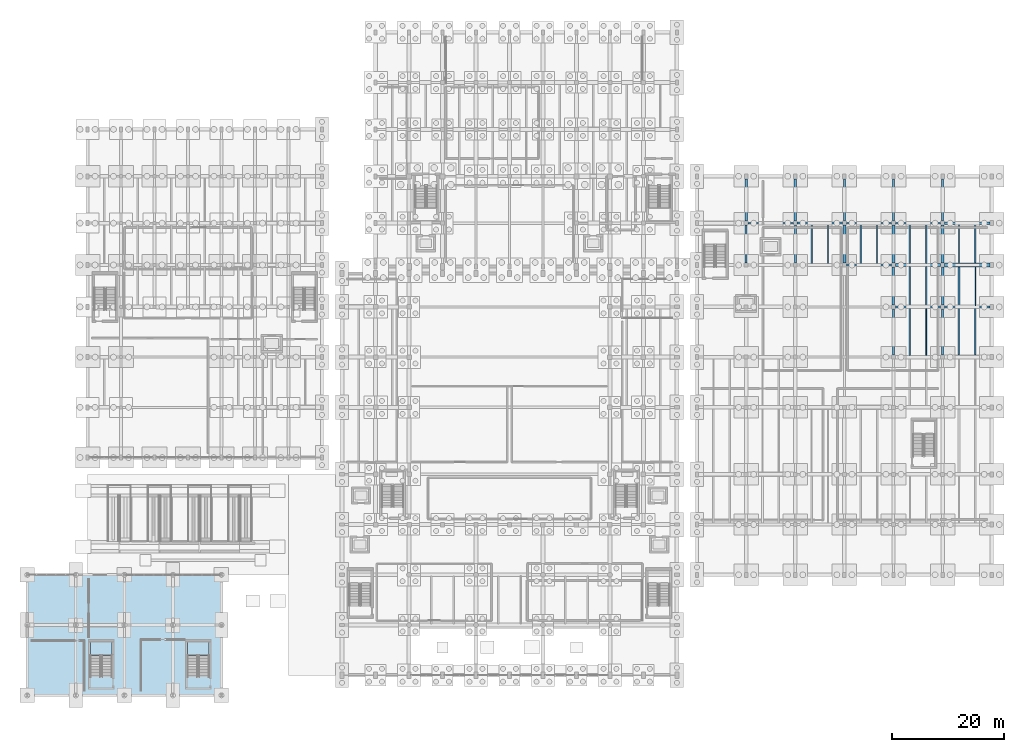
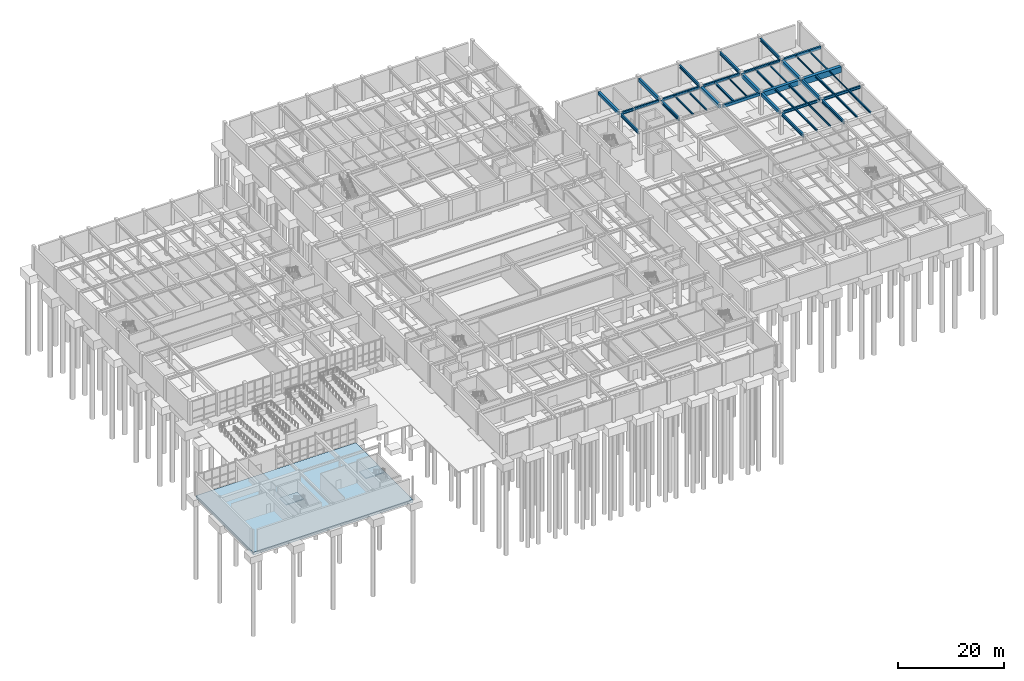
# One storey, part 41 of 69: 40 beams, 3 slabs, 2 elements without a shape of their own.
"""IFC4 building model written with IfcOpenShell, lengths in metres."""

from ifc_helpers import new_model, si_unit, direction, frame, origin, origin_2d, place, context, subcontext, project, spatial, polyline, rectangle, i_section, outline, extrude, material, layer, layer_set, material_profile, profile_set, type_object, element, aggregate, save


model = new_model("IFC4")

# Units and contexts
model_context = context("Model", 3, precision=1e-05, world=origin(), true_north=direction((0.0, 1.0)))
body_context = subcontext(model_context, "Body", "Model", "MODEL_VIEW")
ifc_project = project(units=[si_unit("LENGTHUNIT", "METRE"), si_unit("AREAUNIT", "SQUARE_METRE"), si_unit("VOLUMEUNIT", "CUBIC_METRE"), si_unit("PLANEANGLEUNIT", "RADIAN"), si_unit("MASSUNIT", "GRAM", prefix="KILO")], contexts=[model_context])

# Site, building, storey
site_placement = place(None, origin())
site = spatial("IfcSite", under=ifc_project, at=site_placement, CompositionType="ELEMENT")
building_placement = place(site_placement, origin())
building = spatial("IfcBuilding", under=site, at=building_placement, Name="Vaelkrest Opera House", CompositionType="ELEMENT")
storey_placement = place(building_placement, frame((0.0, 0.0, -5.39990234375)))
storey = spatial("IfcBuildingStorey", under=building, at=storey_placement, Name="B1", CompositionType="ELEMENT", Elevation=-5.39990234375)

# Beams
ifc_material_1 = material(Name="Concrete C50/60", Category="concrete")
ifc_material_profile_1 = material_profile(ifc_material_1, rectangle(XDim=0.39990234375, YDim=0.64990234375, at=origin_2d()), Name="RCB400X650")
ifc_profile_set_1 = profile_set([ifc_material_profile_1], Name="Concrete C50/60")
beam_type_1 = type_object("IfcBeamType", Name="B01", PredefinedType="BEAM", material=ifc_profile_set_1)
beam_1_placement = place(storey_placement, frame((60.35009765625, 17.699951171875, 4.679931640625), z_axis=(1.0, 0.0, 0.0), x_axis=(0.0, 1.0, 0.0)))
element("IfcBeam", 1, at=beam_1_placement, inside=storey, type_object=beam_type_1, Name="Beam BM-V4-B1-1853", PredefinedType="BEAM", context=body_context, shape_type="SweptSolid", body=[
    extrude(rectangle(XDim=0.39990234375, YDim=0.64990234375, at=origin_2d()), origin(), (0.0, 0.0, 1.0), 8.099853515625),
])
beam_2_placement = place(storey_placement, frame((77.949951171875, 25.199951171875, 4.679931640625), z_axis=(1.0, 0.0, 0.0), x_axis=(0.0, 1.0, 0.0)))
element("IfcBeam", 2, at=beam_2_placement, inside=storey, type_object=beam_type_1, Name="Beam BM-V4-B1-1861", PredefinedType="BEAM", context=body_context, shape_type="SweptSolid", body=[
    extrude(rectangle(XDim=0.39990234375, YDim=0.64990234375, at=origin_2d()), origin(), (0.0, 0.0, 1.0), 8.150146484375),
])
ifc_material_profile_2 = material_profile(ifc_material_1, rectangle(XDim=0.449951171875, YDim=0.75, at=origin_2d()), Name="RCB450X750")
ifc_profile_set_2 = profile_set([ifc_material_profile_2], Name="Concrete C50/60")
beam_type_2 = type_object("IfcBeamType", Name="B02", PredefinedType="BEAM", material=ifc_profile_set_2)
for number, where, z_axis, x_axis, name in (
    (3, (42.39990234375, 25.550048828125, 4.6298828125), (0.0, 1.0, 0.0), (-1.0, 0.0, 0.0), "Beam BM-V4-B1-1867"),
    (4, (51.199951171875, 25.550048828125, 4.6298828125), (0.0, 1.0, 0.0), (-1.0, 0.0, 0.0), "Beam BM-V4-B1-1875"),
):
    element("IfcBeam", number, at=place(storey_placement, frame(where, z_axis=z_axis, x_axis=x_axis)), inside=storey, type_object=beam_type_2, Name=name, PredefinedType="BEAM", context=body_context, shape_type="SweptSolid", body=[
        extrude(rectangle(XDim=0.449951171875, YDim=0.75, at=origin_2d()), origin(), (0.0, 0.0, 1.0), 7.599853515625),
    ])
for number, where, z_axis, x_axis, name in (
    (5, (68.800048828125, 10.550048828125, 4.6298828125), (0.0, 1.0, 0.0), (-1.0, 0.0, 0.0), "Beam BM-V4-B1-1887"),
    (6, (77.60009765625, 10.550048828125, 4.6298828125), (0.0, 1.0, 0.0), (-1.0, 0.0, 0.0), "Beam BM-V4-B1-1895"),
):
    element("IfcBeam", number, at=place(storey_placement, frame(where, z_axis=z_axis, x_axis=x_axis)), inside=storey, type_object=beam_type_2, Name=name, PredefinedType="BEAM", context=body_context, shape_type="SweptSolid", body=[
        extrude(rectangle(XDim=0.449951171875, YDim=0.75, at=origin_2d()), origin(), (0.0, 0.0, 1.0), 6.800048828125),
    ])
ifc_material_profile_3 = material_profile(ifc_material_1, rectangle(XDim=0.5, YDim=0.85009765625, at=origin_2d()), Name="RCB500X850")
ifc_profile_set_3 = profile_set([ifc_material_profile_3], Name="Concrete C50/60")
beam_type_3 = type_object("IfcBeamType", Name="B03", PredefinedType="BEAM", material=ifc_profile_set_3)
for number, where, z_axis, x_axis, name in (
    (7, (60.0, 18.050048828125, 4.579833984375), (0.0, 1.0, 0.0), (-1.0, 0.0, 0.0), "Beam BM-V4-B1-1880"),
    (8, (68.800048828125, 18.050048828125, 4.579833984375), (0.0, 1.0, 0.0), (-1.0, 0.0, 0.0), "Beam BM-V4-B1-1888"),
    (9, (77.60009765625, 18.050048828125, 4.579833984375), (0.0, 1.0, 0.0), (-1.0, 0.0, 0.0), "Beam BM-V4-B1-1896"),
):
    element("IfcBeam", number, at=place(storey_placement, frame(where, z_axis=z_axis, x_axis=x_axis)), inside=storey, type_object=beam_type_3, Name=name, PredefinedType="BEAM", context=body_context, shape_type="SweptSolid", body=[
        extrude(rectangle(XDim=0.5, YDim=0.85009765625, at=origin_2d()), origin(), (0.0, 0.0, 1.0), 6.800048828125),
    ])
ifc_material_profile_4 = material_profile(ifc_material_1, rectangle(XDim=0.60009765625, YDim=1.10009765625, at=origin_2d()), Name="RCB600X1100")
ifc_profile_set_4 = profile_set([ifc_material_profile_4], Name="Concrete C50/60")
beam_type_4 = type_object("IfcBeamType", Name="B05", PredefinedType="BEAM", material=ifc_profile_set_4)
beam_3_placement = place(storey_placement, frame((69.14990234375, 17.699951171875, 4.454833984375), z_axis=(1.0, 0.0, 0.0), x_axis=(0.0, 1.0, 0.0)))
element("IfcBeam", 10, at=beam_3_placement, inside=storey, type_object=beam_type_4, Name="Beam BM-V4-B1-1854", PredefinedType="BEAM", context=body_context, shape_type="SweptSolid", body=[
    extrude(rectangle(XDim=0.60009765625, YDim=1.10009765625, at=origin_2d()), origin(), (0.0, 0.0, 1.0), 8.10009765625),
])
ifc_material_profile_5 = material_profile(ifc_material_1, rectangle(XDim=0.699951171875, YDim=1.35009765625, at=origin_2d()), Name="RCB700X1350")
ifc_profile_set_5 = profile_set([ifc_material_profile_5], Name="Concrete C50/60")
beam_type_5 = type_object("IfcBeamType", Name="B06", PredefinedType="BEAM", material=ifc_profile_set_5)
beam_4_placement = place(storey_placement, frame((77.949951171875, 17.699951171875, 4.329833984375), z_axis=(1.0, 0.0, 0.0), x_axis=(0.0, 1.0, 0.0)))
element("IfcBeam", 11, at=beam_4_placement, inside=storey, type_object=beam_type_5, Name="Beam BM-V4-B1-1855", PredefinedType="BEAM", context=body_context, shape_type="SweptSolid", body=[
    extrude(rectangle(XDim=0.699951171875, YDim=1.35009765625, at=origin_2d()), origin(), (0.0, 0.0, 1.0), 8.150146484375),
])
ifc_material_2 = material(Name="Steel A992 Gr50", Category="steel")
ifc_material_profile_6 = material_profile(ifc_material_2, i_section(OverallWidth=0.323974609375, OverallDepth=0.611083984375, WebThickness=0.0126953125, FlangeThickness=0.01904296875, at=origin_2d()), Name="W24X104")
ifc_profile_set_6 = profile_set([ifc_material_profile_6], Name="Steel A992 Gr50")
beam_type_6 = type_object("IfcBeamType", Name="B08", PredefinedType="BEAM", material=ifc_profile_set_6)
for number, where, z_axis, x_axis, name in (
    (12, (69.14990234375, 10.199951171875, 4.699462890625), (1.0, 0.0, 0.0), (0.0, 1.0, 0.0), "Beam BM-V4-B1-1849"),
    (13, (42.75, 25.199951171875, 4.699462890625), (1.0, 0.0, 0.0), (0.0, 1.0, 0.0), "Beam BM-V4-B1-1857"),
):
    element("IfcBeam", number, at=place(storey_placement, frame(where, z_axis=z_axis, x_axis=x_axis)), inside=storey, type_object=beam_type_6, Name=name, PredefinedType="BEAM", context=body_context, shape_type="SweptSolid", body=[
        extrude(i_section(OverallWidth=0.323974609375, OverallDepth=0.611083984375, WebThickness=0.0126953125, FlangeThickness=0.01904296875, at=origin_2d()), origin(), (0.0, 0.0, 1.0), 8.10009765625),
    ])
ifc_material_profile_7 = material_profile(ifc_material_2, i_section(OverallWidth=0.327880859375, OverallDepth=0.6279296875, WebThickness=0.0166015625, FlangeThickness=0.027587890625, at=origin_2d()), Name="W24X146")
ifc_profile_set_7 = profile_set([ifc_material_profile_7], Name="Steel A992 Gr50")
beam_type_7 = type_object("IfcBeamType", Name="B09", PredefinedType="BEAM", material=ifc_profile_set_7)
beam_5_placement = place(storey_placement, frame((77.949951171875, 10.199951171875, 4.69091796875), z_axis=(1.0, 0.0, 0.0), x_axis=(0.0, 1.0, 0.0)))
element("IfcBeam", 14, at=beam_5_placement, inside=storey, type_object=beam_type_7, Name="Beam BM-V4-B1-1850", PredefinedType="BEAM", context=body_context, shape_type="SweptSolid", body=[
    extrude(i_section(OverallWidth=0.327880859375, OverallDepth=0.6279296875, WebThickness=0.0166015625, FlangeThickness=0.027587890625, at=origin_2d()), origin(), (0.0, 0.0, 1.0), 8.150146484375),
])
beam_6_placement = place(storey_placement, frame((51.550048828125, 25.199951171875, 4.69091796875), z_axis=(1.0, 0.0, 0.0), x_axis=(0.0, 1.0, 0.0)))
element("IfcBeam", 15, at=beam_6_placement, inside=storey, type_object=beam_type_7, Name="Beam BM-V4-B1-1858", PredefinedType="BEAM", context=body_context, shape_type="SweptSolid", body=[
    extrude(i_section(OverallWidth=0.327880859375, OverallDepth=0.6279296875, WebThickness=0.0166015625, FlangeThickness=0.027587890625, at=origin_2d()), origin(), (0.0, 0.0, 1.0), 8.099853515625),
])
ifc_material_profile_8 = material_profile(ifc_material_2, i_section(OverallWidth=0.35498046875, OverallDepth=0.695068359375, WebThickness=0.015380859375, FlangeThickness=0.02490234375, at=origin_2d()), Name="W27X146")
ifc_profile_set_8 = profile_set([ifc_material_profile_8], Name="Steel A992 Gr50")
beam_type_8 = type_object("IfcBeamType", Name="B10", PredefinedType="BEAM", material=ifc_profile_set_8)
for number, where, z_axis, x_axis, name in (
    (16, (60.0, 25.550048828125, 4.657470703125), (0.0, 1.0, 0.0), (-1.0, 0.0, 0.0), "Beam BM-V4-B1-1881"),
    (17, (68.800048828125, 25.550048828125, 4.657470703125), (0.0, 1.0, 0.0), (-1.0, 0.0, 0.0), "Beam BM-V4-B1-1889"),
    (18, (77.60009765625, 25.550048828125, 4.657470703125), (0.0, 1.0, 0.0), (-1.0, 0.0, 0.0), "Beam BM-V4-B1-1897"),
):
    element("IfcBeam", number, at=place(storey_placement, frame(where, z_axis=z_axis, x_axis=x_axis)), inside=storey, type_object=beam_type_8, Name=name, PredefinedType="BEAM", context=body_context, shape_type="SweptSolid", body=[
        extrude(i_section(OverallWidth=0.35498046875, OverallDepth=0.695068359375, WebThickness=0.015380859375, FlangeThickness=0.02490234375, at=origin_2d()), origin(), (0.0, 0.0, 1.0), 7.599853515625),
    ])
ifc_material_profile_9 = material_profile(ifc_material_2, i_section(OverallWidth=0.35791015625, OverallDepth=0.7060546875, WebThickness=0.018310546875, FlangeThickness=0.0302734375, at=origin_2d()), Name="W27X178")
ifc_profile_set_9 = profile_set([ifc_material_profile_9], Name="Steel A992 Gr50")
beam_type_9 = type_object("IfcBeamType", Name="B14", PredefinedType="BEAM", material=ifc_profile_set_9)
for number, where, z_axis, x_axis, name in (
    (19, (42.39990234375, 18.050048828125, 4.65185546875), (0.0, 1.0, 0.0), (-1.0, 0.0, 0.0), "Beam BM-V4-B1-1866"),
    (20, (51.199951171875, 18.050048828125, 4.65185546875), (0.0, 1.0, 0.0), (-1.0, 0.0, 0.0), "Beam BM-V4-B1-1874"),
):
    element("IfcBeam", number, at=place(storey_placement, frame(where, z_axis=z_axis, x_axis=x_axis)), inside=storey, type_object=beam_type_9, Name=name, PredefinedType="BEAM", context=body_context, shape_type="SweptSolid", body=[
        extrude(i_section(OverallWidth=0.35791015625, OverallDepth=0.7060546875, WebThickness=0.018310546875, FlangeThickness=0.0302734375, at=origin_2d()), origin(), (0.0, 0.0, 1.0), 6.800048828125),
    ])
for number, where, z_axis, x_axis, name in (
    (21, (68.800048828125, 1.550048828125, 4.65185546875), (0.0, 1.0, 0.0), (-1.0, 0.0, 0.0), "Beam BM-V4-B1-1886"),
    (22, (77.60009765625, 1.550048828125, 4.65185546875), (0.0, 1.0, 0.0), (-1.0, 0.0, 0.0), "Beam BM-V4-B1-1894"),
):
    element("IfcBeam", number, at=place(storey_placement, frame(where, z_axis=z_axis, x_axis=x_axis)), inside=storey, type_object=beam_type_9, Name=name, PredefinedType="BEAM", context=body_context, shape_type="SweptSolid", body=[
        extrude(i_section(OverallWidth=0.35791015625, OverallDepth=0.7060546875, WebThickness=0.018310546875, FlangeThickness=0.0302734375, at=origin_2d()), origin(), (0.0, 0.0, 1.0), 8.300048828125),
    ])
ifc_material_profile_10 = material_profile(ifc_material_2, i_section(OverallWidth=0.326904296875, OverallDepth=0.6220703125, WebThickness=0.015380859375, FlangeThickness=0.0244140625, at=origin_2d()), Name="W24X131")
ifc_profile_set_10 = profile_set([ifc_material_profile_10], Name="Steel A992 Gr50")
beam_type_10 = type_object("IfcBeamType", Name="B19", PredefinedType="BEAM", material=ifc_profile_set_10)
beam_7_placement = place(storey_placement, frame((60.35009765625, 25.199951171875, 4.69384765625), z_axis=(1.0, 0.0, 0.0), x_axis=(0.0, 1.0, 0.0)))
element("IfcBeam", 23, at=beam_7_placement, inside=storey, type_object=beam_type_10, Name="Beam BM-V4-B1-1859", PredefinedType="BEAM", context=body_context, shape_type="SweptSolid", body=[
    extrude(i_section(OverallWidth=0.326904296875, OverallDepth=0.6220703125, WebThickness=0.015380859375, FlangeThickness=0.0244140625, at=origin_2d()), origin(), (0.0, 0.0, 1.0), 8.099853515625),
])
ifc_material_profile_11 = material_profile(ifc_material_2, i_section(OverallWidth=0.31494140625, OverallDepth=0.551025390625, WebThickness=0.01513671875, FlangeThickness=0.0244140625, at=origin_2d()), Name="W21X122")
ifc_profile_set_11 = profile_set([ifc_material_profile_11], Name="Steel A992 Gr50")
beam_type_11 = type_object("IfcBeamType", Name="B20", PredefinedType="BEAM", material=ifc_profile_set_11)
beam_8_placement = place(storey_placement, frame((69.14990234375, 25.199951171875, 4.7294921875), z_axis=(1.0, 0.0, 0.0), x_axis=(0.0, 1.0, 0.0)))
element("IfcBeam", 24, at=beam_8_placement, inside=storey, type_object=beam_type_11, Name="Beam BM-V4-B1-1860", PredefinedType="BEAM", context=body_context, shape_type="SweptSolid", body=[
    extrude(i_section(OverallWidth=0.31494140625, OverallDepth=0.551025390625, WebThickness=0.01513671875, FlangeThickness=0.0244140625, at=origin_2d()), origin(), (0.0, 0.0, 1.0), 8.10009765625),
])
ifc_material_profile_12 = material_profile(ifc_material_2, i_section(OverallWidth=0.2041015625, OverallDepth=0.257080078125, WebThickness=0.0087890625, FlangeThickness=0.015625, at=origin_2d()), Name="W10X45")
ifc_profile_set_12 = profile_set([ifc_material_profile_12], Name="Steel A992 Gr50")
beam_type_12 = type_object("IfcBeamType", Name="J01", PredefinedType="JOIST", material=ifc_profile_set_12)
beam_9_placement = place(storey_placement, frame((65.866943359375, 17.89990234375, 4.87646484375), z_axis=(0.0, 1.0, 0.0), x_axis=(-1.0, 0.0, 0.0)))
element("IfcBeam", 25, at=beam_9_placement, inside=storey, type_object=beam_type_12, Name="Floor joist JST-V4-B1-1921", PredefinedType="JOIST", context=body_context, shape_type="SweptSolid", body=[
    extrude(i_section(OverallWidth=0.2041015625, OverallDepth=0.257080078125, WebThickness=0.0087890625, FlangeThickness=0.015625, at=origin_2d()), origin(), (0.0, 0.0, 1.0), 7.13671875),
])
beam_10_placement = place(storey_placement, frame((74.6669921875, 18.0, 4.87646484375), z_axis=(0.0, 1.0, 0.0), x_axis=(-1.0, 0.0, 0.0)))
element("IfcBeam", 26, at=beam_10_placement, inside=storey, type_object=beam_type_12, Name="Floor joist JST-V4-B1-1931", PredefinedType="JOIST", context=body_context, shape_type="SweptSolid", body=[
    extrude(i_section(OverallWidth=0.2041015625, OverallDepth=0.257080078125, WebThickness=0.0087890625, FlangeThickness=0.015625, at=origin_2d()), origin(), (0.0, 0.0, 1.0), 7.04248046875),
])
beam_11_placement = place(storey_placement, frame((83.467041015625, 10.364013671875, 4.87646484375), z_axis=(0.0, 1.0, 0.0), x_axis=(-1.0, 0.0, 0.0)))
element("IfcBeam", 27, at=beam_11_placement, inside=storey, type_object=beam_type_12, Name="Floor joist JST-V4-B1-1941", PredefinedType="JOIST", context=body_context, shape_type="SweptSolid", body=[
    extrude(i_section(OverallWidth=0.2041015625, OverallDepth=0.257080078125, WebThickness=0.0087890625, FlangeThickness=0.015625, at=origin_2d()), origin(), (0.0, 0.0, 1.0), 6.986083984375),
])
ifc_material_profile_13 = material_profile(ifc_material_2, i_section(OverallWidth=0.202880859375, OverallDepth=0.302978515625, WebThickness=0.007568359375, FlangeThickness=0.01318359375, at=origin_2d()), Name="W12X40")
ifc_profile_set_13 = profile_set([ifc_material_profile_13], Name="Steel A992 Gr50")
beam_type_13 = type_object("IfcBeamType", Name="J02", PredefinedType="JOIST", material=ifc_profile_set_13)
beam_12_placement = place(storey_placement, frame((80.532958984375, 18.050048828125, 4.853515625), z_axis=(0.0, 1.0, 0.0), x_axis=(-1.0, 0.0, 0.0)))
element("IfcBeam", 28, at=beam_12_placement, inside=storey, type_object=beam_type_13, Name="Floor joist JST-V4-B1-1942", PredefinedType="JOIST", context=body_context, shape_type="SweptSolid", body=[
    extrude(i_section(OverallWidth=0.202880859375, OverallDepth=0.302978515625, WebThickness=0.007568359375, FlangeThickness=0.01318359375, at=origin_2d()), origin(), (0.0, 0.0, 1.0), 6.949951171875),
])
ifc_material_profile_14 = material_profile(ifc_material_2, i_section(OverallWidth=0.25390625, OverallDepth=0.305908203125, WebThickness=0.0087890625, FlangeThickness=0.0146484375, at=origin_2d()), Name="W12X53")
ifc_profile_set_14 = profile_set([ifc_material_profile_14], Name="Steel A992 Gr50")
beam_type_14 = type_object("IfcBeamType", Name="J03", PredefinedType="JOIST", material=ifc_profile_set_14)
beam_13_placement = place(storey_placement, frame((83.467041015625, 18.050048828125, 4.851806640625), z_axis=(0.0, 1.0, 0.0), x_axis=(-1.0, 0.0, 0.0)))
element("IfcBeam", 29, at=beam_13_placement, inside=storey, type_object=beam_type_14, Name="Floor joist JST-V4-B1-1943", PredefinedType="JOIST", context=body_context, shape_type="SweptSolid", body=[
    extrude(i_section(OverallWidth=0.25390625, OverallDepth=0.305908203125, WebThickness=0.0087890625, FlangeThickness=0.0146484375, at=origin_2d()), origin(), (0.0, 0.0, 1.0), 6.949951171875),
])
ifc_material_profile_15 = material_profile(ifc_material_2, i_section(OverallWidth=0.304931640625, OverallDepth=0.30810546875, WebThickness=0.010009765625, FlangeThickness=0.015380859375, at=origin_2d()), Name="W12X65")
ifc_profile_set_15 = profile_set([ifc_material_profile_15], Name="Steel A992 Gr50")
beam_type_15 = type_object("IfcBeamType", Name="J04", PredefinedType="JOIST", material=ifc_profile_set_15)
beam_14_placement = place(storey_placement, frame((54.133056640625, 17.857421875, 4.850830078125), z_axis=(0.0, 1.0, 0.0), x_axis=(-1.0, 0.0, 0.0)))
element("IfcBeam", 30, at=beam_14_placement, inside=storey, type_object=beam_type_15, Name="Floor joist JST-V4-B1-1914", PredefinedType="JOIST", context=body_context, shape_type="SweptSolid", body=[
    extrude(i_section(OverallWidth=0.304931640625, OverallDepth=0.30810546875, WebThickness=0.010009765625, FlangeThickness=0.015380859375, at=origin_2d()), origin(), (0.0, 0.0, 1.0), 7.178466796875),
])
ifc_material_profile_16 = material_profile(ifc_material_2, i_section(OverallWidth=0.2548828125, OverallDepth=0.35693359375, WebThickness=0.010498046875, FlangeThickness=0.018310546875, at=origin_2d()), Name="W14X68")
ifc_profile_set_16 = profile_set([ifc_material_profile_16], Name="Steel A992 Gr50")
beam_type_16 = type_object("IfcBeamType", Name="J05", PredefinedType="JOIST", material=ifc_profile_set_16)
beam_15_placement = place(storey_placement, frame((57.06689453125, 17.857421875, 4.826416015625), z_axis=(0.0, 1.0, 0.0), x_axis=(-1.0, 0.0, 0.0)))
element("IfcBeam", 31, at=beam_15_placement, inside=storey, type_object=beam_type_16, Name="Floor joist JST-V4-B1-1915", PredefinedType="JOIST", context=body_context, shape_type="SweptSolid", body=[
    extrude(i_section(OverallWidth=0.2548828125, OverallDepth=0.35693359375, WebThickness=0.010498046875, FlangeThickness=0.018310546875, at=origin_2d()), origin(), (0.0, 0.0, 1.0), 7.178466796875),
])
ifc_material_profile_17 = material_profile(ifc_material_2, i_section(OverallWidth=0.257080078125, OverallDepth=0.363037109375, WebThickness=0.012939453125, FlangeThickness=0.021728515625, at=origin_2d()), Name="W14X82")
ifc_profile_set_17 = profile_set([ifc_material_profile_17], Name="Steel A992 Gr50")
beam_type_17 = type_object("IfcBeamType", Name="J06", PredefinedType="JOIST", material=ifc_profile_set_17)
beam_16_placement = place(storey_placement, frame((71.73291015625, 1.5, 4.823486328125), z_axis=(0.0, 1.0, 0.0), x_axis=(-1.0, 0.0, 0.0)))
element("IfcBeam", 32, at=beam_16_placement, inside=storey, type_object=beam_type_17, Name="Floor joist JST-V4-B1-1926", PredefinedType="JOIST", context=body_context, shape_type="SweptSolid", body=[
    extrude(i_section(OverallWidth=0.257080078125, OverallDepth=0.363037109375, WebThickness=0.012939453125, FlangeThickness=0.021728515625, at=origin_2d()), origin(), (0.0, 0.0, 1.0), 8.5380859375),
])
ifc_material_profile_18 = material_profile(ifc_material_2, i_section(OverallWidth=0.180908203125, OverallDepth=0.4169921875, WebThickness=0.010986328125, FlangeThickness=0.018310546875, at=origin_2d()), Name="W16X57")
ifc_profile_set_18 = profile_set([ifc_material_profile_18], Name="Steel A992 Gr50")
beam_type_18 = type_object("IfcBeamType", Name="J07", PredefinedType="JOIST", material=ifc_profile_set_18)
beam_17_placement = place(storey_placement, frame((74.6669921875, 1.5, 4.79638671875), z_axis=(0.0, 1.0, 0.0), x_axis=(-1.0, 0.0, 0.0)))
element("IfcBeam", 33, at=beam_17_placement, inside=storey, type_object=beam_type_18, Name="Floor joist JST-V4-B1-1927", PredefinedType="JOIST", context=body_context, shape_type="SweptSolid", body=[
    extrude(i_section(OverallWidth=0.180908203125, OverallDepth=0.4169921875, WebThickness=0.010986328125, FlangeThickness=0.018310546875, at=origin_2d()), origin(), (0.0, 0.0, 1.0), 8.5380859375),
])
ifc_material_profile_19 = material_profile(ifc_material_2, i_section(OverallWidth=0.261962890625, OverallDepth=0.4189453125, WebThickness=0.01171875, FlangeThickness=0.019287109375, at=origin_2d()), Name="W16X77")
ifc_profile_set_19 = profile_set([ifc_material_profile_19], Name="Steel A992 Gr50")
beam_type_19 = type_object("IfcBeamType", Name="J08", PredefinedType="JOIST", material=ifc_profile_set_19)
beam_18_placement = place(storey_placement, frame((71.73291015625, 10.362060546875, 4.79541015625), z_axis=(0.0, 1.0, 0.0), x_axis=(-1.0, 0.0, 0.0)))
element("IfcBeam", 34, at=beam_18_placement, inside=storey, type_object=beam_type_19, Name="Floor joist JST-V4-B1-1928", PredefinedType="JOIST", context=body_context, shape_type="SweptSolid", body=[
    extrude(i_section(OverallWidth=0.261962890625, OverallDepth=0.4189453125, WebThickness=0.01171875, FlangeThickness=0.019287109375, at=origin_2d()), origin(), (0.0, 0.0, 1.0), 7.037841796875),
])
beam_19_placement = place(storey_placement, frame((80.532958984375, 1.550048828125, 4.79541015625), z_axis=(0.0, 1.0, 0.0), x_axis=(-1.0, 0.0, 0.0)))
element("IfcBeam", 35, at=beam_19_placement, inside=storey, type_object=beam_type_19, Name="Floor joist JST-V4-B1-1938", PredefinedType="JOIST", context=body_context, shape_type="SweptSolid", body=[
    extrude(i_section(OverallWidth=0.261962890625, OverallDepth=0.4189453125, WebThickness=0.01171875, FlangeThickness=0.019287109375, at=origin_2d()), origin(), (0.0, 0.0, 1.0), 8.48583984375),
])
ifc_material_profile_20 = material_profile(ifc_material_2, i_section(OverallWidth=0.280029296875, OverallDepth=0.462890625, WebThickness=0.0107421875, FlangeThickness=0.017333984375, at=origin_2d()), Name="W18X76")
ifc_profile_set_20 = profile_set([ifc_material_profile_20], Name="Steel A992 Gr50")
beam_type_20 = type_object("IfcBeamType", Name="J09", PredefinedType="JOIST", material=ifc_profile_set_20)
beam_20_placement = place(storey_placement, frame((74.6669921875, 10.362060546875, 4.7734375), z_axis=(0.0, 1.0, 0.0), x_axis=(-1.0, 0.0, 0.0)))
element("IfcBeam", 36, at=beam_20_placement, inside=storey, type_object=beam_type_20, Name="Floor joist JST-V4-B1-1929", PredefinedType="JOIST", context=body_context, shape_type="SweptSolid", body=[
    extrude(i_section(OverallWidth=0.280029296875, OverallDepth=0.462890625, WebThickness=0.0107421875, FlangeThickness=0.017333984375, at=origin_2d()), origin(), (0.0, 0.0, 1.0), 7.037841796875),
])
beam_21_placement = place(storey_placement, frame((83.467041015625, 1.550048828125, 4.7734375), z_axis=(0.0, 1.0, 0.0), x_axis=(-1.0, 0.0, 0.0)))
element("IfcBeam", 37, at=beam_21_placement, inside=storey, type_object=beam_type_20, Name="Floor joist JST-V4-B1-1939", PredefinedType="JOIST", context=body_context, shape_type="SweptSolid", body=[
    extrude(i_section(OverallWidth=0.280029296875, OverallDepth=0.462890625, WebThickness=0.0107421875, FlangeThickness=0.017333984375, at=origin_2d()), origin(), (0.0, 0.0, 1.0), 8.48583984375),
])
ifc_material_profile_21 = material_profile(ifc_material_2, i_section(OverallWidth=0.282958984375, OverallDepth=0.471923828125, WebThickness=0.013671875, FlangeThickness=0.022216796875, at=origin_2d()), Name="W18X97")
ifc_profile_set_21 = profile_set([ifc_material_profile_21], Name="Steel A992 Gr50")
beam_type_21 = type_object("IfcBeamType", Name="J10", PredefinedType="JOIST", material=ifc_profile_set_21)
beam_22_placement = place(storey_placement, frame((62.93310546875, 17.89990234375, 4.768798828125), z_axis=(0.0, 1.0, 0.0), x_axis=(-1.0, 0.0, 0.0)))
element("IfcBeam", 38, at=beam_22_placement, inside=storey, type_object=beam_type_21, Name="Floor joist JST-V4-B1-1920", PredefinedType="JOIST", context=body_context, shape_type="SweptSolid", body=[
    extrude(i_section(OverallWidth=0.282958984375, OverallDepth=0.471923828125, WebThickness=0.013671875, FlangeThickness=0.022216796875, at=origin_2d()), origin(), (0.0, 0.0, 1.0), 7.13671875),
])
beam_23_placement = place(storey_placement, frame((71.73291015625, 18.0, 4.768798828125), z_axis=(0.0, 1.0, 0.0), x_axis=(-1.0, 0.0, 0.0)))
element("IfcBeam", 39, at=beam_23_placement, inside=storey, type_object=beam_type_21, Name="Floor joist JST-V4-B1-1930", PredefinedType="JOIST", context=body_context, shape_type="SweptSolid", body=[
    extrude(i_section(OverallWidth=0.282958984375, OverallDepth=0.471923828125, WebThickness=0.013671875, FlangeThickness=0.022216796875, at=origin_2d()), origin(), (0.0, 0.0, 1.0), 7.04248046875),
])
beam_24_placement = place(storey_placement, frame((80.532958984375, 10.364013671875, 4.768798828125), z_axis=(0.0, 1.0, 0.0), x_axis=(-1.0, 0.0, 0.0)))
element("IfcBeam", 40, at=beam_24_placement, inside=storey, type_object=beam_type_21, Name="Floor joist JST-V4-B1-1940", PredefinedType="JOIST", context=body_context, shape_type="SweptSolid", body=[
    extrude(i_section(OverallWidth=0.282958984375, OverallDepth=0.471923828125, WebThickness=0.013671875, FlangeThickness=0.022216796875, at=origin_2d()), origin(), (0.0, 0.0, 1.0), 6.986083984375),
])

# Slab
ifc_material_3 = material(Name="Concrete C40/50", Category="concrete")
ifc_layer_1 = layer(ifc_material_3, 0.64990234375)
ifc_layer_set_1 = layer_set([ifc_layer_1], Name="Concrete C40/50")
slab_type_1 = type_object("IfcSlabType", Name="BS01", PredefinedType="BASESLAB", material=ifc_layer_set_1)
slab_1_placement = place(storey_placement, frame((0.0, 0.0, -0.650146484375)))
element("IfcSlab", 41, at=slab_1_placement, inside=storey, type_object=slab_type_1, Name="Floor slab SLB-V5-B1-034", PredefinedType="BASESLAB", context=body_context, shape_type="SweptSolid", body=[
    extrude(outline(polyline([(-86.39990234375, -59.39990234375), (-51.60009765625, -59.39990234375), (-51.60009765625, -37.800048828125), (-86.39990234375, -37.800048828125), (-86.39990234375, -59.39990234375)])), origin(), (0.0, 0.0, 1.0), 0.650146484375),
])

# Stair, slab
stair_type_1 = type_object("IfcStairType", Name="ST11", PredefinedType="TWO_STRAIGHT_RUN_STAIR", material=ifc_material_3)
stair_1_placement = place(storey_placement, origin())
stair_1 = element("IfcStair", 42, at=stair_1_placement, inside=storey, type_object=stair_type_1, Name="B1 Protected exit stair ST11", PredefinedType="TWO_STRAIGHT_RUN_STAIR")
ifc_layer_2 = layer(ifc_material_3, 0.199951171875)
ifc_layer_set_2 = layer_set([ifc_layer_2], Name="Concrete C40/50")
slab_type_2 = type_object("IfcSlabType", Name="SLD01", PredefinedType="LANDING", material=ifc_layer_set_2)
slab_2_placement = place(storey_placement, frame((0.0, 0.0, 2.5)))
slab_2 = element("IfcSlab", 43, at=slab_2_placement, type_object=slab_type_2, Name="ST11 landing 1", PredefinedType="LANDING", context=body_context, shape_type="SweptSolid", body=[
    extrude(outline(polyline([(-71.199951171875, -52.22998046875), (-71.199951171875, -49.699951171875), (-75.10009765625, -49.699951171875), (-75.10009765625, -52.22998046875), (-71.199951171875, -52.22998046875)])), origin(), (0.0, 0.0, 1.0), 0.199951171875),
])
aggregate(stair_1, [slab_2])

stair_type_2 = type_object("IfcStairType", Name="ST12", PredefinedType="TWO_STRAIGHT_RUN_STAIR", material=ifc_material_3)
stair_2_placement = place(storey_placement, origin())
stair_2 = element("IfcStair", 44, at=stair_2_placement, inside=storey, type_object=stair_type_2, Name="B1 Protected exit stair ST12", PredefinedType="TWO_STRAIGHT_RUN_STAIR")
slab_3_placement = place(storey_placement, frame((0.0, 0.0, 2.5)))
slab_3 = element("IfcSlab", 45, at=slab_3_placement, type_object=slab_type_2, Name="ST12 landing 1", PredefinedType="LANDING", context=body_context, shape_type="SweptSolid", body=[
    extrude(outline(polyline([(-53.800048828125, -52.22998046875), (-53.800048828125, -49.699951171875), (-57.699951171875, -49.699951171875), (-57.699951171875, -52.22998046875), (-53.800048828125, -52.22998046875)])), origin(), (0.0, 0.0, 1.0), 0.199951171875),
])
aggregate(stair_2, [slab_3])

save(model, "model.ifc")
